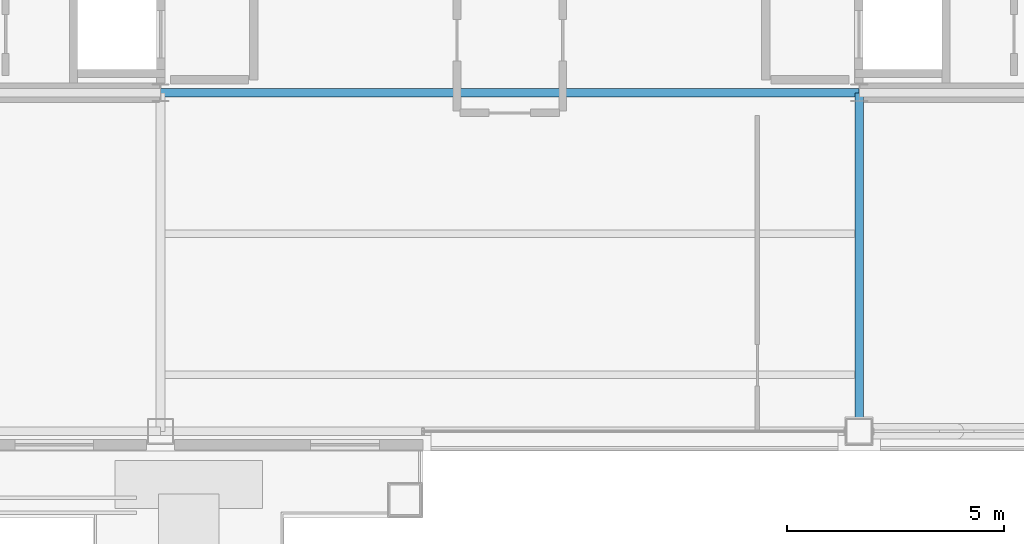
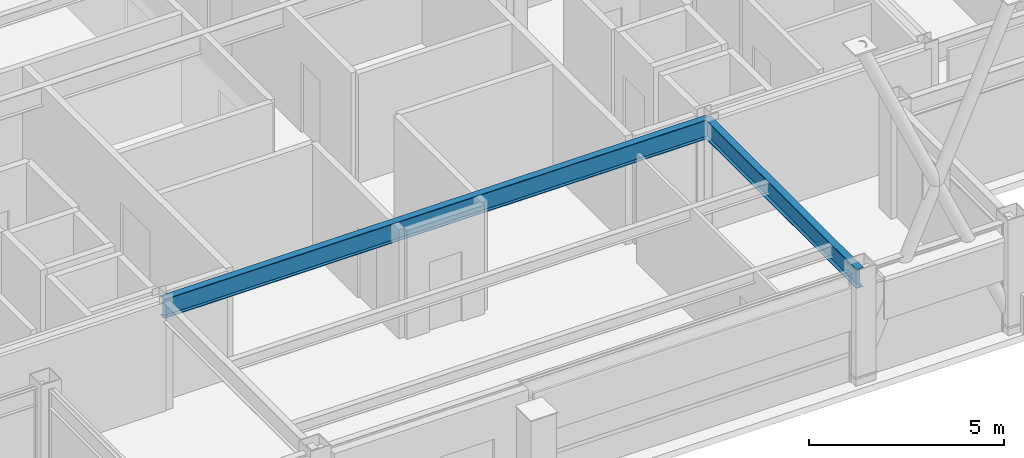
# One storey, part 8 of 27: 2 beams.
"""IFC4 building model written with IfcOpenShell, lengths in metres."""

import ifcopenshell
import ifcopenshell.guid

model = None  # the IFC model being written
_history = None  # IfcOwnerHistory: only IFC2X3 demands one
_inside = {}  # id of a spatial element -> (the spatial element, [elements in it])
_under = {}  # id of a project, library or spatial element -> (it, [spatial elements below it])
_declared = {}  # id of a project -> (the project, [libraries it declares])
_typed = {}  # id of a type object -> (the type object, [elements of that type])
_made_of = {}  # id of a material, layer set ... -> (it, [elements and type objects made of it])


def new_model(schema):
    """Start an empty IFC model of exactly this schema.

    Asked for "IFC4X3", IfcOpenShell would pick the latest addendum, in which some entities
    have other attributes; the version numbers below select the first issue.
    IFC2X3 requires an IfcOwnerHistory on every rooted entity: one is made here for all.
    """
    global model, _history
    if schema == "IFC4X3":
        model = ifcopenshell.file(schema_version=(4, 3, 0, 0))
    else:
        model = ifcopenshell.file(schema=schema)
    _inside.clear()
    _under.clear()
    _declared.clear()
    _typed.clear()
    _made_of.clear()
    _history = None
    if model.schema == "IFC2X3":
        org = make("IfcOrganization", Name="unknown")
        user = make(
            "IfcPersonAndOrganization",
            ThePerson=make("IfcPerson", FamilyName="unknown"),
            TheOrganization=org,
        )
        app = make(
            "IfcApplication",
            ApplicationDeveloper=org,
            Version="unknown",
            ApplicationFullName="unknown",
            ApplicationIdentifier="unknown",
        )
        _history = make(
            "IfcOwnerHistory",
            OwningUser=user,
            OwningApplication=app,
            ChangeAction="ADDED",
            CreationDate=0,
        )
    return model


def make(cls, **values):
    """One entity of the class cls with the attributes given. An attribute that is None is left unset."""
    return model.create_entity(
        cls, **{name: value for name, value in values.items() if value is not None}
    )


def rooted(cls, **values):
    """An entity with a GlobalId (a new one), such as an element, a storey or a relation."""
    return make(cls, GlobalId=ifcopenshell.guid.new(), OwnerHistory=_history, **values)


def si_unit(unit_type, name, prefix=None):
    """IfcSIUnit, for example si_unit("LENGTHUNIT", "METRE", prefix="MILLI")."""
    return make("IfcSIUnit", UnitType=unit_type, Prefix=prefix, Name=name)


def assignment(units):
    """IfcUnitAssignment: the units of a project."""
    return None if units is None else make("IfcUnitAssignment", Units=units)


def point(xyz):
    """IfcCartesianPoint."""
    return None if xyz is None else make("IfcCartesianPoint", Coordinates=xyz)


def direction(xyz):
    """IfcDirection."""
    return None if xyz is None else make("IfcDirection", DirectionRatios=xyz)


def frame(location, z_axis=None, x_axis=None):
    """IfcAxis2Placement3D, a coordinate frame: its origin and axes. An axis left out is left unset."""
    return make(
        "IfcAxis2Placement3D",
        Location=point(location),
        Axis=direction(z_axis),
        RefDirection=direction(x_axis),
    )


def frame_2d(location, x_axis=None):
    """IfcAxis2Placement2D, a coordinate frame in the plane: its origin and x axis."""
    return make(
        "IfcAxis2Placement2D", Location=point(location), RefDirection=direction(x_axis)
    )


def origin():
    """The frame at (0, 0, 0) with its axes left unset."""
    return frame((0.0, 0.0, 0.0))


def origin_2d():
    """The frame at (0, 0) in the plane with its x axis left unset."""
    return frame_2d((0.0, 0.0))


def place(relative_to, where):
    """IfcLocalPlacement: puts the frame where relative to a parent placement (None: the world)."""
    return make(
        "IfcLocalPlacement", PlacementRelTo=relative_to, RelativePlacement=where
    )


def context(
    kind, dimensions, precision=None, world=None, true_north=None, identifier=None
):
    """IfcGeometricRepresentationContext, for example the 3D "Model" context."""
    return make(
        "IfcGeometricRepresentationContext",
        ContextIdentifier=identifier,
        ContextType=kind,
        CoordinateSpaceDimension=dimensions,
        Precision=precision,
        WorldCoordinateSystem=world,
        TrueNorth=true_north,
    )


def subcontext(parent, identifier, kind, view, scale=None):
    """IfcGeometricRepresentationSubContext, for example "Body" below "Model"."""
    return make(
        "IfcGeometricRepresentationSubContext",
        ContextIdentifier=identifier,
        ContextType=kind,
        ParentContext=parent,
        TargetScale=scale,
        TargetView=view,
    )


def project(units=None, contexts=None):
    """IfcProject with its units and contexts."""
    return rooted(
        "IfcProject",
        Name="project",
        RepresentationContexts=contexts,
        UnitsInContext=assignment(units),
    )


def spatial(cls, under=None, at=None, **own):
    """A site, building, storey or space (cls), placed at a placement, below another one or the project."""
    s = rooted(cls, ObjectPlacement=at, **own)
    if under is not None:
        _under.setdefault(under.id(), (under, []))[1].append(s)
    return s


def profile(cls, at=None, kind="AREA", **sizes):
    """A parametric profile (cls). Its sizes go by their IFC names, for example OverallWidth=200.0."""
    return make(cls, ProfileType=kind, Position=at, **sizes)


def i_section(**sizes):
    """IfcIShapeProfileDef."""
    return profile("IfcIShapeProfileDef", **sizes)


def extrude(swept, where, along, depth):
    """IfcExtrudedAreaSolid: the profile swept, set in the frame where, extruded along a direction by depth."""
    return make(
        "IfcExtrudedAreaSolid",
        SweptArea=swept,
        Position=where,
        ExtrudedDirection=direction(along),
        Depth=depth,
    )


def shape(context_of_items, identifier, shape_type, items):
    """IfcShapeRepresentation: the items that make up one representation, for example the "Body"."""
    return make(
        "IfcShapeRepresentation",
        ContextOfItems=context_of_items,
        RepresentationIdentifier=identifier,
        RepresentationType=shape_type,
        Items=items,
    )


def material(Name=None, Category=None):
    """IfcMaterial."""
    return make("IfcMaterial", Name=Name, Category=Category)


def material_profile(
    of_material, cross_section, Name=None, Category=None, Priority=None
):
    """IfcMaterialProfile: a cross section and its material."""
    return make(
        "IfcMaterialProfile",
        Name=Name,
        Material=of_material,
        Profile=cross_section,
        Priority=Priority,
        Category=Category,
    )


def profile_set(profiles, Name=None, composite=None):
    """IfcMaterialProfileSet."""
    return make(
        "IfcMaterialProfileSet",
        Name=Name,
        MaterialProfiles=profiles,
        CompositeProfile=composite,
    )


def made_of(thing, what):
    """Note that an element or type object is made of a material, layer set ...; save() writes the relation."""
    if what is not None:
        _made_of.setdefault(what.id(), (what, []))[1].append(thing)
    return thing


def type_object(cls, material=None, **own):
    """A type object (cls), such as IfcWallType, which elements share."""
    return made_of(rooted(cls, **own), material)


def element(
    cls,
    number,
    at=None,
    inside=None,
    cuts=None,
    type_object=None,
    material=None,
    context=None,
    identifier="Body",
    shape_type=None,
    held_by="IfcProductDefinitionShape",
    body=None,
    shapes=None,
    **own,
):
    """One element of the class cls, such as IfcWall. Its Tag is "e" and its number.

    at: its placement. inside: the storey or other place that contains it. cuts: it is an
    opening in that element (IfcRelVoidsElement). A single representation is given by context,
    identifier, shape_type and body (its items); several are given by shapes. held_by: the class
    of the entity that holds the representations. save() writes the other relations.
    """
    e = rooted(cls, Tag="e%d" % number, ObjectPlacement=at, **own)
    if body is not None:
        shapes = [shape(context, identifier, shape_type, body)]
    if shapes is not None:
        e.Representation = make(held_by, Representations=shapes)
    if inside is not None:
        _inside.setdefault(inside.id(), (inside, []))[1].append(e)
    if cuts is not None:
        rooted(
            "IfcRelVoidsElement", RelatingBuildingElement=cuts, RelatedOpeningElement=e
        )
    if type_object is not None:
        _typed.setdefault(type_object.id(), (type_object, []))[1].append(e)
    return made_of(e, material)


def aggregate(whole, parts):
    """IfcRelAggregates: a whole, such as a stair, and the parts it consists of."""
    return rooted("IfcRelAggregates", RelatingObject=whole, RelatedObjects=parts)


def save(model, path):
    """Write the relations noted so far, then the file.

    IfcRelAggregates (storeys below a building ...), IfcRelContainedInSpatialStructure (elements
    in a storey), IfcRelDefinesByType, IfcRelAssociatesMaterial and IfcRelDeclares: one each for
    every whole, place, type object, material and project.
    """
    for whole, parts in _under.values():
        aggregate(whole, parts)
    for where, things in _inside.values():
        rooted(
            "IfcRelContainedInSpatialStructure",
            RelatedElements=things,
            RelatingStructure=where,
        )
    for kind, things in _typed.values():
        rooted("IfcRelDefinesByType", RelatedObjects=things, RelatingType=kind)
    for what, things in _made_of.values():
        rooted("IfcRelAssociatesMaterial", RelatedObjects=things, RelatingMaterial=what)
    for by, libraries in _declared.values():
        rooted("IfcRelDeclares", RelatingContext=by, RelatedDefinitions=libraries)
    model.write(path)


model = new_model("IFC4")

# Units and contexts
model_context = context("Model", 3, precision=1e-05, world=origin(), true_north=direction((0.0, 1.0)))
body_context = subcontext(model_context, "Body", "Model", "MODEL_VIEW")
ifc_project = project(units=[si_unit("LENGTHUNIT", "METRE"), si_unit("AREAUNIT", "SQUARE_METRE"), si_unit("VOLUMEUNIT", "CUBIC_METRE"), si_unit("PLANEANGLEUNIT", "RADIAN"), si_unit("MASSUNIT", "GRAM", prefix="KILO")], contexts=[model_context])

# Site, building, storey
site_placement = place(None, origin())
site = spatial("IfcSite", under=ifc_project, at=site_placement, CompositionType="ELEMENT")
building_placement = place(site_placement, origin())
building = spatial("IfcBuilding", under=site, at=building_placement, Name="Brelmoor Portico Tower", CompositionType="ELEMENT")
storey_placement = place(building_placement, frame((0.0, 0.0, 258.0)))
storey = spatial("IfcBuildingStorey", under=building, at=storey_placement, Name="L68", CompositionType="ELEMENT", Elevation=258.0)

# Beams
ifc_material = material(Name="Steel Q355B", Category="steel")
ifc_material_profile = material_profile(ifc_material, i_section(OverallWidth=0.199951171875, OverallDepth=0.60009765625, WebThickness=0.010986328125, FlangeThickness=0.01708984375, at=origin_2d()), Name="HN 600x200x11x17")
ifc_profile_set = profile_set([ifc_material_profile], Name="Steel Q355B")
beam_type = type_object("IfcBeamType", Name="BM-PG-600", PredefinedType="BEAM", material=ifc_profile_set)
beam_1_placement = place(storey_placement, frame((8.050048828125, -17.550048828125, 3.10009765625), z_axis=(0.0, 1.0, 0.0), x_axis=(-1.0, 0.0, 0.0)))
element("IfcBeam", 1, at=beam_1_placement, inside=storey, type_object=beam_type, Name="L68 Primary Floor Girder PG-06", PredefinedType="BEAM", context=body_context, shape_type="SweptSolid", body=[
    extrude(i_section(OverallWidth=0.199951171875, OverallDepth=0.60009765625, WebThickness=0.010986328125, FlangeThickness=0.01708984375, at=origin_2d()), origin(), (0.0, 0.0, 1.0), 7.800048828125),
])
beam_2_placement = place(storey_placement, frame((-8.050048828125, -9.75, 3.10009765625), z_axis=(1.0, 0.0, 0.0), x_axis=(0.0, 1.0, 0.0)))
element("IfcBeam", 2, at=beam_2_placement, inside=storey, type_object=beam_type, Name="L68 Primary Floor Girder PG-13", PredefinedType="BEAM", context=body_context, shape_type="SweptSolid", body=[
    extrude(i_section(OverallWidth=0.199951171875, OverallDepth=0.60009765625, WebThickness=0.010986328125, FlangeThickness=0.01708984375, at=origin_2d()), origin(), (0.0, 0.0, 1.0), 16.10009765625),
])

save(model, "model.ifc")
